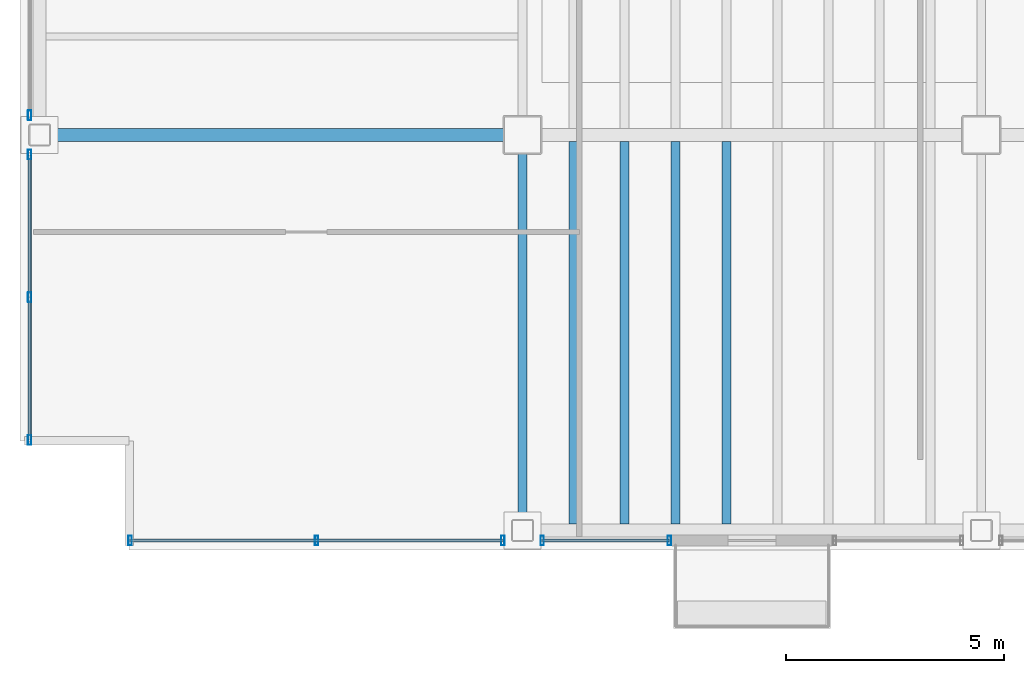
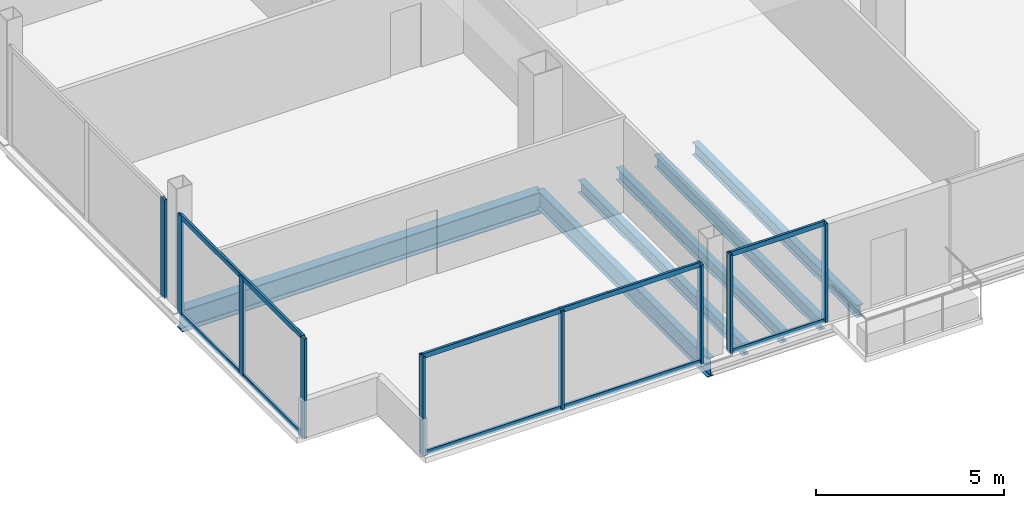
# One storey, part 2 of 20: 15 members, 6 beams, 4 elements without a shape of their own.
"""IFC4 building model written with IfcOpenShell, lengths in metres."""

from ifc_helpers import new_model, si_unit, direction, frame, origin, origin_2d, place, context, subcontext, project, spatial, hollow_rectangle, i_section, extrude, material, material_profile, profile_set, type_object, element, aggregate, save


model = new_model("IFC4")

# Units and contexts
model_context = context("Model", 3, precision=1e-05, world=origin(), true_north=direction((0.0, 1.0)))
body_context = subcontext(model_context, "Body", "Model", "MODEL_VIEW")
ifc_project = project(units=[si_unit("LENGTHUNIT", "METRE"), si_unit("AREAUNIT", "SQUARE_METRE"), si_unit("VOLUMEUNIT", "CUBIC_METRE"), si_unit("PLANEANGLEUNIT", "RADIAN"), si_unit("MASSUNIT", "GRAM", prefix="KILO")], contexts=[model_context])

# Site, building, storey
site_placement = place(None, origin())
site = spatial("IfcSite", under=ifc_project, at=site_placement, CompositionType="ELEMENT")
building_placement = place(site_placement, origin())
building = spatial("IfcBuilding", under=site, at=building_placement, Name="Noeulbin Bourse Tower", CompositionType="ELEMENT")
storey_placement = place(building_placement, frame((0.0, 0.0, 118.800048828125)))
storey = spatial("IfcBuildingStorey", under=building, at=storey_placement, Name="L29", CompositionType="ELEMENT", Elevation=118.800048828125)

# Beams
ifc_material_1 = material(Name="Steel S355", Category="steel")
ifc_material_profile_1 = material_profile(ifc_material_1, i_section(OverallWidth=0.199951171875, OverallDepth=0.60009765625, WebThickness=0.010986328125, FlangeThickness=0.01708984375, FilletRadius=0.02197265625, at=origin_2d()), Name="H-600x200x11x17", Category="LoadBearing")
ifc_profile_set_1 = profile_set([ifc_material_profile_1], Name="Steel S355")
beam_type_1 = type_object("IfcBeamType", Name="BM-GRD-600", PredefinedType="USERDEFINED", material=ifc_profile_set_1)
beam_1_placement = place(storey_placement, frame((13.5, 10.949951171875, -0.47998046875), z_axis=(0.0, 1.0, 0.0), x_axis=(-1.0, 0.0, 0.0)))
element("IfcBeam", 1, at=beam_1_placement, inside=storey, type_object=beam_type_1, Name="Tower Primary Girder NS L29-1.1", ObjectType="GIRDER", PredefinedType="USERDEFINED", context=body_context, shape_type="SweptSolid", body=[
    extrude(i_section(OverallWidth=0.199951171875, OverallDepth=0.60009765625, WebThickness=0.010986328125, FlangeThickness=0.01708984375, FilletRadius=0.02197265625, at=origin_2d()), origin(), (0.0, 0.0, 1.0), 9.050048828125),
])
ifc_material_profile_2 = material_profile(ifc_material_1, i_section(OverallWidth=0.300048828125, OverallDepth=0.699951171875, WebThickness=0.012939453125, FlangeThickness=0.02392578125, FilletRadius=0.02392578125, at=origin_2d()), Name="H-700x300x13x24", Category="LoadBearing")
ifc_profile_set_2 = profile_set([ifc_material_profile_2], Name="Steel S355")
beam_type_2 = type_object("IfcBeamType", Name="BM-GRD-700", PredefinedType="USERDEFINED", material=ifc_profile_set_2)
beam_2_placement = place(storey_placement, frame((2.449951171875, 20.0, -0.530029296875), z_axis=(1.0, 0.0, 0.0), x_axis=(0.0, 1.0, 0.0)))
element("IfcBeam", 2, at=beam_2_placement, inside=storey, type_object=beam_type_2, Name="Tower Primary Girder EW L29-1.1", ObjectType="GIRDER", PredefinedType="USERDEFINED", context=body_context, shape_type="SweptSolid", body=[
    extrude(i_section(OverallWidth=0.300048828125, OverallDepth=0.699951171875, WebThickness=0.012939453125, FlangeThickness=0.02392578125, FilletRadius=0.02392578125, at=origin_2d()), origin(), (0.0, 0.0, 1.0), 11.050048828125),
])
ifc_material_profile_3 = material_profile(ifc_material_1, i_section(OverallWidth=0.199951171875, OverallDepth=0.39990234375, WebThickness=0.008056640625, FlangeThickness=0.012939453125, FilletRadius=0.01611328125, at=origin_2d()), Name="H-400x200x8x13", Category="LoadBearing")
ifc_profile_set_3 = profile_set([ifc_material_profile_3], Name="Steel S355")
beam_type_3 = type_object("IfcBeamType", Name="BM-SEC-400", PredefinedType="BEAM", material=ifc_profile_set_3)
for number, where, z_axis, x_axis, name in (
    (3, (14.666748046875, 11.10009765625, -0.380126953125), (0.0, 1.0, 0.0), (-1.0, 0.0, 0.0), "Tower Composite Joist L29-01"),
    (4, (15.833251953125, 11.10009765625, -0.380126953125), (0.0, 1.0, 0.0), (-1.0, 0.0, 0.0), "Tower Composite Joist L29-03"),
    (5, (17.0, 11.10009765625, -0.380126953125), (0.0, 1.0, 0.0), (-1.0, 0.0, 0.0), "Tower Composite Joist L29-05"),
    (6, (18.166748046875, 11.10009765625, -0.380126953125), (0.0, 1.0, 0.0), (-1.0, 0.0, 0.0), "Tower Composite Joist L29-07"),
):
    element("IfcBeam", number, at=place(storey_placement, frame(where, z_axis=z_axis, x_axis=x_axis)), inside=storey, type_object=beam_type_3, Name=name, PredefinedType="BEAM", context=body_context, shape_type="SweptSolid", body=[
        extrude(i_section(OverallWidth=0.199951171875, OverallDepth=0.39990234375, WebThickness=0.008056640625, FlangeThickness=0.012939453125, FilletRadius=0.01611328125, at=origin_2d()), origin(), (0.0, 0.0, 1.0), 8.75),
    ])

# Curtain wall, members
ifc_material_2 = material(Name="Dark Tinted Triple Glazing", Category="glass")
curtain_wall_type = type_object("IfcCurtainWallType", Name="CW-SYS-3", PredefinedType="NOTDEFINED", material=ifc_material_2)
curtain_wall_1_placement = place(storey_placement, origin())
curtain_wall_1 = element("IfcCurtainWall", 7, at=curtain_wall_1_placement, inside=storey, type_object=curtain_wall_type, Name="Unitised Curtain Wall CW-L29-S1-S1", PredefinedType="NOTDEFINED")
ifc_material_3 = material(Name="Anodised Aluminium 6063-T6", Category="aluminium")
ifc_material_profile_4 = material_profile(ifc_material_3, hollow_rectangle(XDim=0.074951171875, YDim=0.219970703125, WallThickness=0.0048828125, InnerFilletRadius=0.00244140625, OuterFilletRadius=0.0048828125, at=origin_2d()), Name="ALU-MULL-75x220x5", Category="LoadBearing")
ifc_profile_set_4 = profile_set([ifc_material_profile_4], Name="Anodised Aluminium 6063-T6")
member_type_1 = type_object("IfcMemberType", Name="CW-SYS-3-MUL", PredefinedType="MULLION", material=ifc_profile_set_4)
member_1_placement = place(storey_placement, frame((4.52001953125, 10.719970703125, -0.02001953125), z_axis=(0.0, 0.0, 1.0), x_axis=(1.0, 0.0, 0.0)))
member_1 = element("IfcMember", 8, at=member_1_placement, type_object=member_type_1, Name="Curtain Wall Mullion CW-L29-S1-S1-M00", PredefinedType="MULLION", context=body_context, shape_type="SweptSolid", body=[
    extrude(hollow_rectangle(XDim=0.074951171875, YDim=0.219970703125, WallThickness=0.0048828125, InnerFilletRadius=0.00244140625, OuterFilletRadius=0.0048828125, at=origin_2d()), origin(), (0.0, 0.0, 1.0), 3.219970703125),
])
member_2_placement = place(storey_placement, frame((8.784912109375, 10.719970703125, -0.02001953125), z_axis=(0.0, 0.0, 1.0), x_axis=(1.0, 0.0, 0.0)))
member_2 = element("IfcMember", 9, at=member_2_placement, type_object=member_type_1, Name="Curtain Wall Mullion CW-L29-S1-S1-M01", PredefinedType="MULLION", context=body_context, shape_type="SweptSolid", body=[
    extrude(hollow_rectangle(XDim=0.074951171875, YDim=0.219970703125, WallThickness=0.0048828125, InnerFilletRadius=0.00244140625, OuterFilletRadius=0.0048828125, at=origin_2d()), origin(), (0.0, 0.0, 1.0), 3.219970703125),
])
member_3_placement = place(storey_placement, frame((13.050048828125, 10.719970703125, -0.02001953125), z_axis=(0.0, 0.0, 1.0), x_axis=(1.0, 0.0, 0.0)))
member_3 = element("IfcMember", 10, at=member_3_placement, type_object=member_type_1, Name="Curtain Wall Mullion CW-L29-S1-S1-M02", PredefinedType="MULLION", context=body_context, shape_type="SweptSolid", body=[
    extrude(hollow_rectangle(XDim=0.074951171875, YDim=0.219970703125, WallThickness=0.0048828125, InnerFilletRadius=0.00244140625, OuterFilletRadius=0.0048828125, at=origin_2d()), origin(), (0.0, 0.0, 1.0), 3.219970703125),
])

curtain_wall_2_placement = place(storey_placement, origin())
curtain_wall_2 = element("IfcCurtainWall", 11, at=curtain_wall_2_placement, inside=storey, type_object=curtain_wall_type, Name="Unitised Curtain Wall CW-L29-S1-S2", PredefinedType="NOTDEFINED")
member_4_placement = place(storey_placement, frame((13.949951171875, 10.719970703125, -0.02001953125), z_axis=(0.0, 0.0, 1.0), x_axis=(1.0, 0.0, 0.0)))
member_4 = element("IfcMember", 12, at=member_4_placement, type_object=member_type_1, Name="Curtain Wall Mullion CW-L29-S1-S2-M00", PredefinedType="MULLION", context=body_context, shape_type="SweptSolid", body=[
    extrude(hollow_rectangle(XDim=0.074951171875, YDim=0.219970703125, WallThickness=0.0048828125, InnerFilletRadius=0.00244140625, OuterFilletRadius=0.0048828125, at=origin_2d()), origin(), (0.0, 0.0, 1.0), 3.219970703125),
])
member_5_placement = place(storey_placement, frame((16.860107421875, 10.719970703125, -0.02001953125), z_axis=(0.0, 0.0, 1.0), x_axis=(1.0, 0.0, 0.0)))
member_5 = element("IfcMember", 13, at=member_5_placement, type_object=member_type_1, Name="Curtain Wall Mullion CW-L29-S1-S2-M01", PredefinedType="MULLION", context=body_context, shape_type="SweptSolid", body=[
    extrude(hollow_rectangle(XDim=0.074951171875, YDim=0.219970703125, WallThickness=0.0048828125, InnerFilletRadius=0.00244140625, OuterFilletRadius=0.0048828125, at=origin_2d()), origin(), (0.0, 0.0, 1.0), 3.219970703125),
])

curtain_wall_3_placement = place(storey_placement, origin())
curtain_wall_3 = element("IfcCurtainWall", 14, at=curtain_wall_3_placement, inside=storey, type_object=curtain_wall_type, Name="Unitised Curtain Wall CW-L29-W-S1", PredefinedType="NOTDEFINED")
member_6_placement = place(storey_placement, frame((2.219970703125, 13.02001953125, -0.02001953125), z_axis=(0.0, 0.0, 1.0), x_axis=(1.0, 0.0, 0.0)))
member_6 = element("IfcMember", 15, at=member_6_placement, type_object=member_type_1, Name="Curtain Wall Mullion CW-L29-W-S1-M00", PredefinedType="MULLION", context=body_context, shape_type="SweptSolid", body=[
    extrude(hollow_rectangle(XDim=0.074951171875, YDim=0.219970703125, WallThickness=0.0048828125, InnerFilletRadius=0.00244140625, OuterFilletRadius=0.0048828125, at=origin_2d()), origin(), (0.0, 0.0, 1.0), 3.219970703125),
])
member_7_placement = place(storey_placement, frame((2.219970703125, 16.284912109375, -0.02001953125), z_axis=(0.0, 0.0, 1.0), x_axis=(1.0, 0.0, 0.0)))
member_7 = element("IfcMember", 16, at=member_7_placement, type_object=member_type_1, Name="Curtain Wall Mullion CW-L29-W-S1-M01", PredefinedType="MULLION", context=body_context, shape_type="SweptSolid", body=[
    extrude(hollow_rectangle(XDim=0.074951171875, YDim=0.219970703125, WallThickness=0.0048828125, InnerFilletRadius=0.00244140625, OuterFilletRadius=0.0048828125, at=origin_2d()), origin(), (0.0, 0.0, 1.0), 3.219970703125),
])
member_8_placement = place(storey_placement, frame((2.219970703125, 19.550048828125, -0.02001953125), z_axis=(0.0, 0.0, 1.0), x_axis=(1.0, 0.0, 0.0)))
member_8 = element("IfcMember", 17, at=member_8_placement, type_object=member_type_1, Name="Curtain Wall Mullion CW-L29-W-S1-M02", PredefinedType="MULLION", context=body_context, shape_type="SweptSolid", body=[
    extrude(hollow_rectangle(XDim=0.074951171875, YDim=0.219970703125, WallThickness=0.0048828125, InnerFilletRadius=0.00244140625, OuterFilletRadius=0.0048828125, at=origin_2d()), origin(), (0.0, 0.0, 1.0), 3.219970703125),
])

# Curtain wall, member
curtain_wall_4_placement = place(storey_placement, origin())
curtain_wall_4 = element("IfcCurtainWall", 18, at=curtain_wall_4_placement, inside=storey, type_object=curtain_wall_type, Name="Unitised Curtain Wall CW-L29-W-S2", PredefinedType="NOTDEFINED")
member_9_placement = place(storey_placement, frame((2.219970703125, 20.449951171875, -0.02001953125), z_axis=(0.0, 0.0, 1.0), x_axis=(1.0, 0.0, 0.0)))
member_9 = element("IfcMember", 19, at=member_9_placement, type_object=member_type_1, Name="Curtain Wall Mullion CW-L29-W-S2-M00", PredefinedType="MULLION", context=body_context, shape_type="SweptSolid", body=[
    extrude(hollow_rectangle(XDim=0.074951171875, YDim=0.219970703125, WallThickness=0.0048828125, InnerFilletRadius=0.00244140625, OuterFilletRadius=0.0048828125, at=origin_2d()), origin(), (0.0, 0.0, 1.0), 3.219970703125),
])
aggregate(curtain_wall_4, [member_9])

# Member
ifc_material_profile_5 = material_profile(ifc_material_3, hollow_rectangle(XDim=0.074951171875, YDim=0.159912109375, WallThickness=0.0048828125, InnerFilletRadius=0.00244140625, OuterFilletRadius=0.0048828125, at=origin_2d()), Name="ALU-TRAN-75x160x5", Category="LoadBearing")
ifc_profile_set_5 = profile_set([ifc_material_profile_5], Name="Anodised Aluminium 6063-T6")
member_type_2 = type_object("IfcMemberType", Name="CW-SYS-3-TRN", PredefinedType="USERDEFINED", material=ifc_profile_set_5)
member_10_placement = place(storey_placement, frame((4.530029296875, 10.719970703125, 0.010009765625), z_axis=(1.0, 0.0, 0.0), x_axis=(0.0, 1.0, 0.0)))
member_10 = element("IfcMember", 20, at=member_10_placement, type_object=member_type_2, Name="Curtain Wall Transom CW-L29-S1-S1-T00", ObjectType="TRANSOM", PredefinedType="USERDEFINED", context=body_context, shape_type="SweptSolid", body=[
    extrude(hollow_rectangle(XDim=0.074951171875, YDim=0.159912109375, WallThickness=0.0048828125, InnerFilletRadius=0.00244140625, OuterFilletRadius=0.0048828125, at=origin_2d()), origin(), (0.0, 0.0, 1.0), 8.510009765625),
])

member_11_placement = place(storey_placement, frame((4.530029296875, 10.719970703125, 3.169921875), z_axis=(1.0, 0.0, 0.0), x_axis=(0.0, 1.0, 0.0)))
member_11 = element("IfcMember", 21, at=member_11_placement, type_object=member_type_2, Name="Curtain Wall Transom CW-L29-S1-S1-T01", ObjectType="TRANSOM", PredefinedType="USERDEFINED", context=body_context, shape_type="SweptSolid", body=[
    extrude(hollow_rectangle(XDim=0.074951171875, YDim=0.159912109375, WallThickness=0.0048828125, InnerFilletRadius=0.00244140625, OuterFilletRadius=0.0048828125, at=origin_2d()), origin(), (0.0, 0.0, 1.0), 8.510009765625),
])

aggregate(curtain_wall_1, [member_1, member_2, member_3, member_10, member_11])

member_12_placement = place(storey_placement, frame((13.9599609375, 10.719970703125, 0.010009765625), z_axis=(1.0, 0.0, 0.0), x_axis=(0.0, 1.0, 0.0)))
member_12 = element("IfcMember", 22, at=member_12_placement, type_object=member_type_2, Name="Curtain Wall Transom CW-L29-S1-S2-T00", ObjectType="TRANSOM", PredefinedType="USERDEFINED", context=body_context, shape_type="SweptSolid", body=[
    extrude(hollow_rectangle(XDim=0.074951171875, YDim=0.159912109375, WallThickness=0.0048828125, InnerFilletRadius=0.00244140625, OuterFilletRadius=0.0048828125, at=origin_2d()), origin(), (0.0, 0.0, 1.0), 2.89013671875),
])

member_13_placement = place(storey_placement, frame((13.9599609375, 10.719970703125, 3.169921875), z_axis=(1.0, 0.0, 0.0), x_axis=(0.0, 1.0, 0.0)))
member_13 = element("IfcMember", 23, at=member_13_placement, type_object=member_type_2, Name="Curtain Wall Transom CW-L29-S1-S2-T01", ObjectType="TRANSOM", PredefinedType="USERDEFINED", context=body_context, shape_type="SweptSolid", body=[
    extrude(hollow_rectangle(XDim=0.074951171875, YDim=0.159912109375, WallThickness=0.0048828125, InnerFilletRadius=0.00244140625, OuterFilletRadius=0.0048828125, at=origin_2d()), origin(), (0.0, 0.0, 1.0), 2.89013671875),
])

aggregate(curtain_wall_2, [member_4, member_5, member_12, member_13])

member_14_placement = place(storey_placement, frame((2.219970703125, 13.030029296875, 0.010009765625), z_axis=(0.0, 1.0, 0.0), x_axis=(-1.0, 0.0, 0.0)))
member_14 = element("IfcMember", 24, at=member_14_placement, type_object=member_type_2, Name="Curtain Wall Transom CW-L29-W-S1-T00", ObjectType="TRANSOM", PredefinedType="USERDEFINED", context=body_context, shape_type="SweptSolid", body=[
    extrude(hollow_rectangle(XDim=0.074951171875, YDim=0.159912109375, WallThickness=0.0048828125, InnerFilletRadius=0.00244140625, OuterFilletRadius=0.0048828125, at=origin_2d()), origin(), (0.0, 0.0, 1.0), 6.510009765625),
])

member_15_placement = place(storey_placement, frame((2.219970703125, 13.030029296875, 3.169921875), z_axis=(0.0, 1.0, 0.0), x_axis=(-1.0, 0.0, 0.0)))
member_15 = element("IfcMember", 25, at=member_15_placement, type_object=member_type_2, Name="Curtain Wall Transom CW-L29-W-S1-T01", ObjectType="TRANSOM", PredefinedType="USERDEFINED", context=body_context, shape_type="SweptSolid", body=[
    extrude(hollow_rectangle(XDim=0.074951171875, YDim=0.159912109375, WallThickness=0.0048828125, InnerFilletRadius=0.00244140625, OuterFilletRadius=0.0048828125, at=origin_2d()), origin(), (0.0, 0.0, 1.0), 6.510009765625),
])

aggregate(curtain_wall_3, [member_6, member_7, member_8, member_14, member_15])

save(model, "model.ifc")
